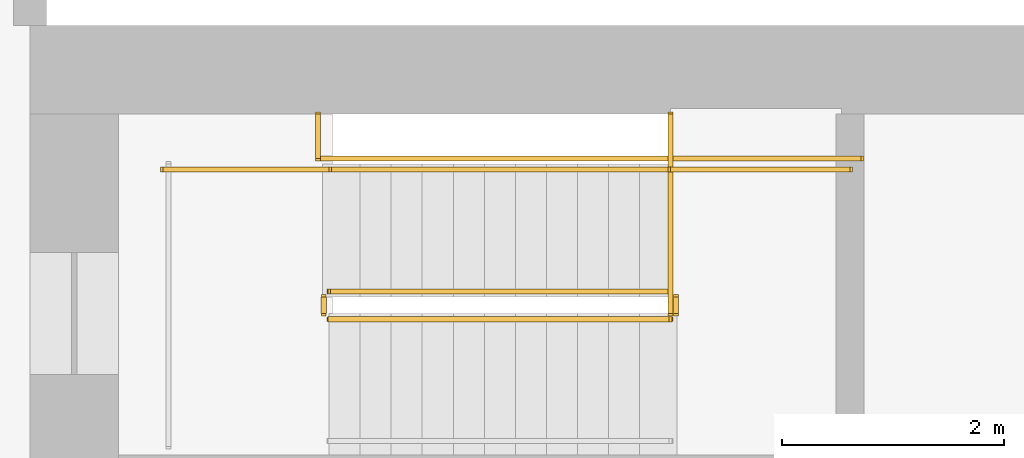
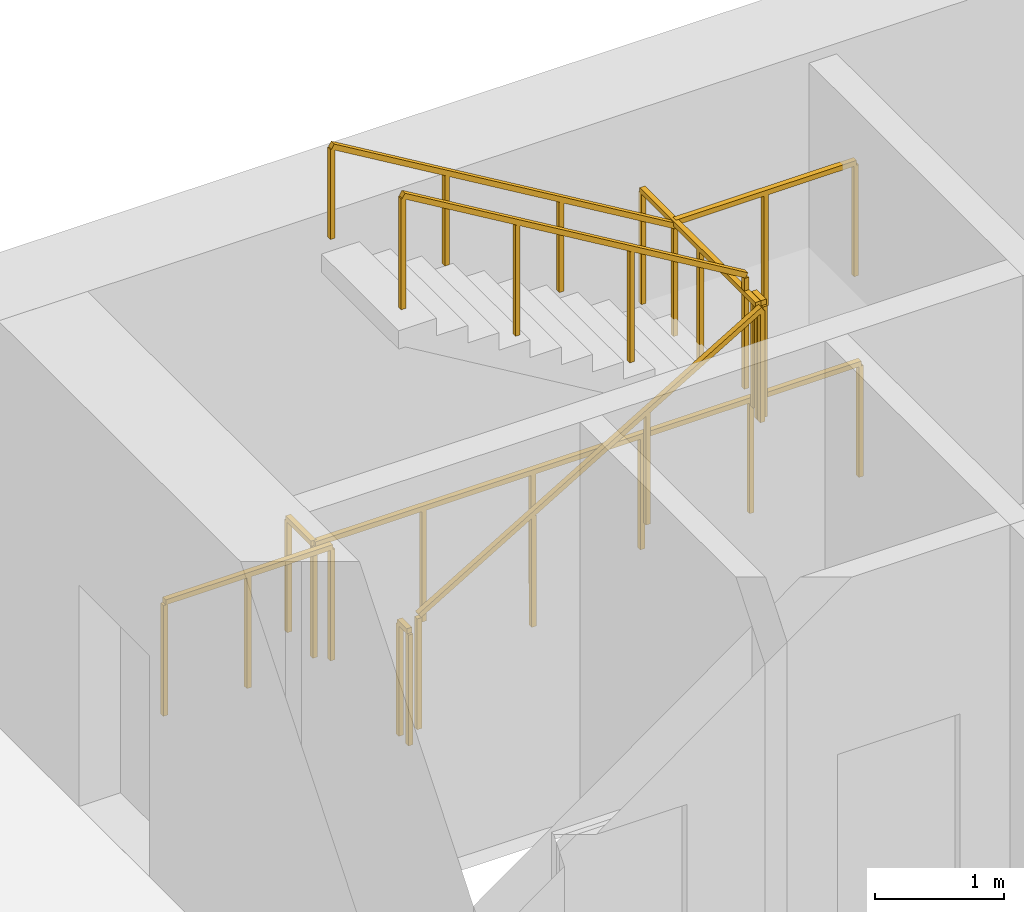
# One storey, part 12 of 12: 10 railings.
"""IFC4 building model written with IfcOpenShell, lengths in metres."""

from ifc_helpers import new_model, si_unit, direction, frame, origin, origin_2d, place, context, subcontext, project, spatial, rectangle, extrude, material, type_object, element, save


model = new_model("IFC4")

# Units and contexts
model_context = context("Model", 3, precision=1e-05, world=origin(), true_north=direction((0.0, 1.0)))
body_context = subcontext(model_context, "Body", "Model", "MODEL_VIEW")
ifc_project = project(units=[si_unit("LENGTHUNIT", "METRE"), si_unit("AREAUNIT", "SQUARE_METRE"), si_unit("VOLUMEUNIT", "CUBIC_METRE"), si_unit("PLANEANGLEUNIT", "RADIAN"), si_unit("MASSUNIT", "GRAM", prefix="KILO")], contexts=[model_context])

# Site, building, storey
site_placement = place(None, origin())
site = spatial("IfcSite", under=ifc_project, at=site_placement, CompositionType="ELEMENT")
building_placement = place(site_placement, origin())
building = spatial("IfcBuilding", under=site, at=building_placement, Name="Sennacour Bend Tower", CompositionType="ELEMENT")
storey_placement = place(building_placement, frame((0.0, 0.0, 293.0)))
storey = spatial("IfcBuildingStorey", under=building, at=storey_placement, Name="L68", CompositionType="ELEMENT", Elevation=293.0)

# Railings
ifc_material = material(Name="Stainless steel", Category="steel")
railing_type_1 = type_object("IfcRailingType", Name="RL-GUARD-1100", PredefinedType="GUARDRAIL", material=ifc_material)
railing_1_placement = place(storey_placement, frame((56.699951171875, 19.85009765625, 0.166748046875)))
element("IfcRailing", 1, at=railing_1_placement, inside=storey, type_object=railing_type_1, Name="L68 SA2 stair guard 1", PredefinedType="GUARDRAIL", context=body_context, shape_type="SweptSolid", body=[
    extrude(rectangle(XDim=0.048095703125, YDim=0.048095703125, at=origin_2d()), frame((0.0, 0.0, 1.076171875), z_axis=(0.859308565015, 0.0, 0.511457515432), x_axis=(0.0, 1.0, 0.0)), (0.0, 0.0, 1.0), 3.58447265625),
    extrude(rectangle(XDim=0.0419921875, YDim=0.0419921875, at=origin_2d()), origin(), (0.0, 0.0, 1.0), 1.052001953125),
    extrude(rectangle(XDim=0.0419921875, YDim=0.0419921875, at=origin_2d()), frame((1.026611328125, 0.0, 0.611083984375)), (0.0, 0.0, 1.0), 1.052001953125),
    extrude(rectangle(XDim=0.0419921875, YDim=0.0419921875, at=origin_2d()), frame((2.053466796875, 0.0, 1.22216796875)), (0.0, 0.0, 1.0), 1.052001953125),
    extrude(rectangle(XDim=0.0419921875, YDim=0.0419921875, at=origin_2d()), frame((3.080078125, 0.0, 1.833251953125)), (0.0, 0.0, 1.0), 1.052001953125),
])
railing_2_placement = place(storey_placement, frame((59.830078125, 19.89990234375, 2.0)))
element("IfcRailing", 2, at=railing_2_placement, inside=storey, type_object=railing_type_1, Name="L68 SA2 stair guard 2", PredefinedType="GUARDRAIL", context=body_context, shape_type="SweptSolid", body=[
    extrude(rectangle(XDim=0.048095703125, YDim=0.048095703125, at=origin_2d()), frame((0.0, 0.0, 1.076171875), z_axis=(0.0, 1.0, 0.0), x_axis=(-1.0, 0.0, 0.0)), (0.0, 0.0, 1.0), 0.150146484375),
    extrude(rectangle(XDim=0.0419921875, YDim=0.0419921875, at=origin_2d()), origin(), (0.0, 0.0, 1.0), 1.052001953125),
    extrude(rectangle(XDim=0.0419921875, YDim=0.0419921875, at=origin_2d()), frame((0.0, 0.150146484375, 0.0)), (0.0, 0.0, 1.0), 1.052001953125),
])
railing_3_placement = place(storey_placement, frame((59.780029296875, 21.199951171875, 2.0)))
element("IfcRailing", 3, at=railing_3_placement, inside=storey, type_object=railing_type_1, Name="L68 SA2 stair guard 3", PredefinedType="GUARDRAIL", context=body_context, shape_type="SweptSolid", body=[
    extrude(rectangle(XDim=0.048095703125, YDim=0.048095703125, at=origin_2d()), frame((0.0, 0.0, 1.076171875), z_axis=(1.0, 0.0, 0.0), x_axis=(0.0, 1.0, 0.0)), (0.0, 0.0, 1.0), 1.619873046875),
    extrude(rectangle(XDim=0.0419921875, YDim=0.0419921875, at=origin_2d()), origin(), (0.0, 0.0, 1.0), 1.052001953125),
    extrude(rectangle(XDim=0.0419921875, YDim=0.0419921875, at=origin_2d()), frame((0.81005859375, 0.0, 0.0)), (0.0, 0.0, 1.0), 1.052001953125),
    extrude(rectangle(XDim=0.0419921875, YDim=0.0419921875, at=origin_2d()), frame((1.619873046875, 0.0, 0.0)), (0.0, 0.0, 1.0), 1.052001953125),
])
railing_4_placement = place(storey_placement, frame((59.780029296875, 20.10009765625, 2.166748046875)))
element("IfcRailing", 4, at=railing_4_placement, inside=storey, type_object=railing_type_1, Name="L68 SA2 stair guard 4", PredefinedType="GUARDRAIL", context=body_context, shape_type="SweptSolid", body=[
    extrude(rectangle(XDim=0.048095703125, YDim=0.048095703125, at=origin_2d()), frame((0.0, 0.0, 1.076171875), z_axis=(-0.859308565015, 0.0, 0.511457515432), x_axis=(0.0, -1.0, 0.0)), (0.0, 0.0, 1.0), 3.58447265625),
    extrude(rectangle(XDim=0.0419921875, YDim=0.0419921875, at=origin_2d()), origin(), (0.0, 0.0, 1.0), 1.052001953125),
    extrude(rectangle(XDim=0.0419921875, YDim=0.0419921875, at=origin_2d()), frame((-1.026611328125, 0.0, 0.611083984375)), (0.0, 0.0, 1.0), 1.052001953125),
    extrude(rectangle(XDim=0.0419921875, YDim=0.0419921875, at=origin_2d()), frame((-2.053466796875, 0.0, 1.22216796875)), (0.0, 0.0, 1.0), 1.052001953125),
    extrude(rectangle(XDim=0.0419921875, YDim=0.0419921875, at=origin_2d()), frame((-3.080078125, 0.0, 1.833251953125)), (0.0, 0.0, 1.0), 1.052001953125),
])
railing_5_placement = place(storey_placement, frame((56.64990234375, 19.89990234375, 0.0)))
element("IfcRailing", 5, at=railing_5_placement, inside=storey, type_object=railing_type_1, Name="L68 SA2 stair guard 5", PredefinedType="GUARDRAIL", context=body_context, shape_type="SweptSolid", body=[
    extrude(rectangle(XDim=0.048095703125, YDim=0.048095703125, at=origin_2d()), frame((0.0, 0.0, 1.076171875), z_axis=(0.0, 1.0, 0.0), x_axis=(-1.0, 0.0, 0.0)), (0.0, 0.0, 1.0), 0.150146484375),
    extrude(rectangle(XDim=0.0419921875, YDim=0.0419921875, at=origin_2d()), origin(), (0.0, 0.0, 1.0), 1.052001953125),
    extrude(rectangle(XDim=0.0419921875, YDim=0.0419921875, at=origin_2d()), frame((0.0, 0.150146484375, 0.0)), (0.0, 0.0, 1.0), 1.052001953125),
])
railing_6_placement = place(storey_placement, frame((55.199951171875, 21.199951171875, 0.0)))
element("IfcRailing", 6, at=railing_6_placement, inside=storey, type_object=railing_type_1, Name="L68 SA2 stair guard 6", PredefinedType="GUARDRAIL", context=body_context, shape_type="SweptSolid", body=[
    extrude(rectangle(XDim=0.048095703125, YDim=0.048095703125, at=origin_2d()), frame((0.0, 0.0, 1.076171875), z_axis=(1.0, 0.0, 0.0), x_axis=(0.0, 1.0, 0.0)), (0.0, 0.0, 1.0), 1.5),
    extrude(rectangle(XDim=0.0419921875, YDim=0.0419921875, at=origin_2d()), origin(), (0.0, 0.0, 1.0), 1.052001953125),
    extrude(rectangle(XDim=0.0419921875, YDim=0.0419921875, at=origin_2d()), frame((0.75, 0.0, 0.0)), (0.0, 0.0, 1.0), 1.052001953125),
    extrude(rectangle(XDim=0.0419921875, YDim=0.0419921875, at=origin_2d()), frame((1.5, 0.0, 0.0)), (0.0, 0.0, 1.0), 1.052001953125),
])
railing_7_placement = place(storey_placement, frame((56.60009765625, 21.300048828125, 0.0)))
element("IfcRailing", 7, at=railing_7_placement, inside=storey, type_object=railing_type_1, Name="L68 SA2 stair guard 8", PredefinedType="GUARDRAIL", context=body_context, shape_type="SweptSolid", body=[
    extrude(rectangle(XDim=0.048095703125, YDim=0.048095703125, at=origin_2d()), frame((0.0, 0.0, 1.076171875), z_axis=(1.0, 0.0, 0.0), x_axis=(0.0, 1.0, 0.0)), (0.0, 0.0, 1.0), 4.89990234375),
    extrude(rectangle(XDim=0.0419921875, YDim=0.0419921875, at=origin_2d()), origin(), (0.0, 0.0, 1.0), 1.052001953125),
    extrude(rectangle(XDim=0.0419921875, YDim=0.0419921875, at=origin_2d()), frame((0.97998046875, 0.0, 0.0)), (0.0, 0.0, 1.0), 1.052001953125),
    extrude(rectangle(XDim=0.0419921875, YDim=0.0419921875, at=origin_2d()), frame((1.9599609375, 0.0, 0.0)), (0.0, 0.0, 1.0), 1.052001953125),
    extrude(rectangle(XDim=0.0419921875, YDim=0.0419921875, at=origin_2d()), frame((2.93994140625, 0.0, 0.0)), (0.0, 0.0, 1.0), 1.052001953125),
    extrude(rectangle(XDim=0.0419921875, YDim=0.0419921875, at=origin_2d()), frame((3.919921875, 0.0, 0.0)), (0.0, 0.0, 1.0), 1.052001953125),
    extrude(rectangle(XDim=0.0419921875, YDim=0.0419921875, at=origin_2d()), frame((4.89990234375, 0.0, 0.0)), (0.0, 0.0, 1.0), 1.052001953125),
])
railing_8_placement = place(storey_placement, frame((59.780029296875, 19.89990234375, 2.0)))
element("IfcRailing", 8, at=railing_8_placement, inside=storey, type_object=railing_type_1, Name="L68 SA2 landing edge guard 88", PredefinedType="GUARDRAIL", context=body_context, shape_type="SweptSolid", body=[
    extrude(rectangle(XDim=0.048095703125, YDim=0.048095703125, at=origin_2d()), frame((0.0, 0.0, 1.076171875), z_axis=(0.0, 1.0, 0.0), x_axis=(-1.0, 0.0, 0.0)), (0.0, 0.0, 1.0), 1.800048828125),
    extrude(rectangle(XDim=0.0419921875, YDim=0.0419921875, at=origin_2d()), origin(), (0.0, 0.0, 1.0), 1.052001953125),
    extrude(rectangle(XDim=0.0419921875, YDim=0.0419921875, at=origin_2d()), frame((0.0, 0.89990234375, 0.0)), (0.0, 0.0, 1.0), 1.052001953125),
    extrude(rectangle(XDim=0.0419921875, YDim=0.0419921875, at=origin_2d()), frame((0.0, 1.800048828125, 0.0)), (0.0, 0.0, 1.0), 1.052001953125),
])
railing_9_placement = place(storey_placement, frame((56.60009765625, 21.300048828125, 0.0)))
element("IfcRailing", 9, at=railing_9_placement, inside=storey, type_object=railing_type_1, Name="L68 SA2 landing edge guard 122", PredefinedType="GUARDRAIL", context=body_context, shape_type="SweptSolid", body=[
    extrude(rectangle(XDim=0.048095703125, YDim=0.048095703125, at=origin_2d()), frame((0.0, 0.0, 1.076171875), z_axis=(0.0, 1.0, 0.0), x_axis=(-1.0, 0.0, 0.0)), (0.0, 0.0, 1.0), 0.39990234375),
    extrude(rectangle(XDim=0.0419921875, YDim=0.0419921875, at=origin_2d()), origin(), (0.0, 0.0, 1.0), 1.052001953125),
    extrude(rectangle(XDim=0.0419921875, YDim=0.0419921875, at=origin_2d()), frame((0.0, 0.39990234375, 0.0)), (0.0, 0.0, 1.0), 1.052001953125),
])
railing_type_2 = type_object("IfcRailingType", Name="RL-HANDRAIL-900", PredefinedType="HANDRAIL", material=ifc_material)
railing_10_placement = place(storey_placement, frame((59.780029296875, 21.199951171875, 2.166748046875)))
element("IfcRailing", 10, at=railing_10_placement, inside=storey, type_object=railing_type_2, Name="L68 SA2 stair handrail 2", PredefinedType="HANDRAIL", context=body_context, shape_type="SweptSolid", body=[
    extrude(rectangle(XDim=0.048095703125, YDim=0.048095703125, at=origin_2d()), frame((0.0, 0.0, 0.8759765625), z_axis=(-0.859308565015, 0.0, 0.511457515432), x_axis=(0.0, -1.0, 0.0)), (0.0, 0.0, 1.0), 3.58447265625),
    extrude(rectangle(XDim=0.0419921875, YDim=0.0419921875, at=origin_2d()), origin(), (0.0, 0.0, 1.0), 0.851806640625),
    extrude(rectangle(XDim=0.0419921875, YDim=0.0419921875, at=origin_2d()), frame((-1.026611328125, 0.0, 0.611083984375)), (0.0, 0.0, 1.0), 0.851806640625),
    extrude(rectangle(XDim=0.0419921875, YDim=0.0419921875, at=origin_2d()), frame((-2.053466796875, 0.0, 1.22216796875)), (0.0, 0.0, 1.0), 0.851806640625),
    extrude(rectangle(XDim=0.0419921875, YDim=0.0419921875, at=origin_2d()), frame((-3.080078125, 0.0, 1.833251953125)), (0.0, 0.0, 1.0), 0.851806640625),
])

save(model, "model.ifc")
